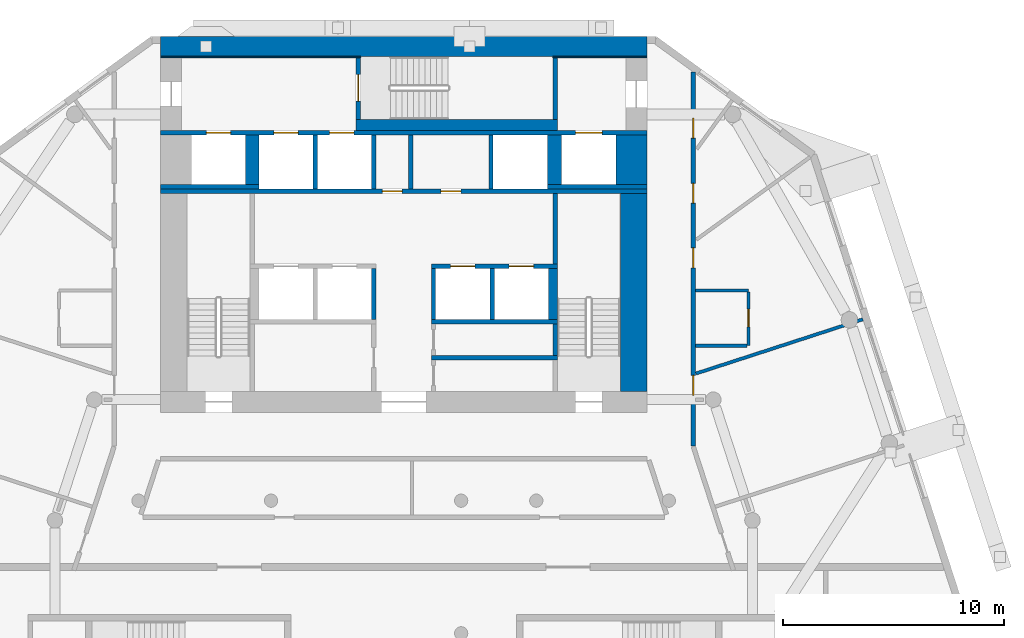
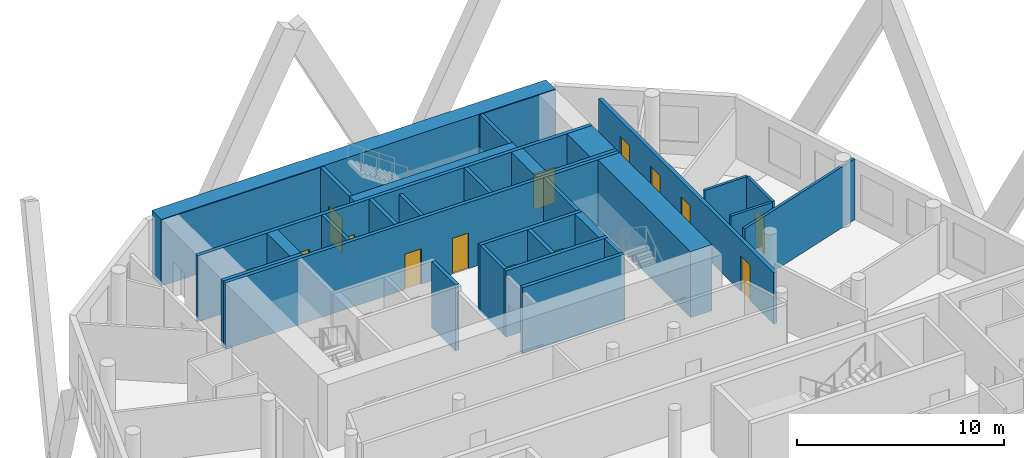
# One storey, part 7 of 10: 32 walls, 14 doors, 14 openings.
"""IFC4 building model written with IfcOpenShell, lengths in metres."""

from ifc_helpers import new_model, si_unit, direction, frame, frame_2d, origin, place, context, subcontext, project, spatial, rectangle, extrude, material, layer, layer_set, type_object, element, fill, save


model = new_model("IFC4")

# Units and contexts
model_context = context("Model", 3, precision=1e-05, world=origin(), true_north=direction((0.0, 1.0)))
body_context = subcontext(model_context, "Body", "Model", "MODEL_VIEW")
ifc_project = project(units=[si_unit("LENGTHUNIT", "METRE"), si_unit("AREAUNIT", "SQUARE_METRE"), si_unit("VOLUMEUNIT", "CUBIC_METRE"), si_unit("PLANEANGLEUNIT", "RADIAN"), si_unit("MASSUNIT", "GRAM", prefix="KILO")], contexts=[model_context])

# Site, building, storey
site_placement = place(None, origin())
site = spatial("IfcSite", under=ifc_project, at=site_placement, CompositionType="ELEMENT")
building_placement = place(site_placement, origin())
building = spatial("IfcBuilding", under=site, at=building_placement, Name="White Candle Pilgrim Tower", CompositionType="ELEMENT")
storey_placement = place(building_placement, frame((0.0, 0.0, 160.300048828125)))
storey = spatial("IfcBuildingStorey", under=building, at=storey_placement, Name="L36", CompositionType="ELEMENT", Elevation=160.300048828125)

# Walls
ifc_material_1 = material(Name="Concrete C60/75", Category="concrete")
ifc_layer_1 = layer(ifc_material_1, 1.39990234375)
ifc_layer_set_1 = layer_set([ifc_layer_1], Name="Core wall 1400 mm Concrete C60/75")
wall_type_1 = type_object("IfcWallType", Name="Core wall 1400 mm Concrete C60/75", PredefinedType="SHEAR", material=ifc_layer_set_1)
wall_1_placement = place(storey_placement, frame((80.300048828125, 81.300048828125, 0.0), z_axis=(0.0, 0.0, 1.0), x_axis=(0.0, 1.0, 0.0)))
element("IfcWall", 1, at=wall_1_placement, inside=storey, type_object=wall_type_1, Name="WL-L36-C43", PredefinedType="SHEAR", context=body_context, shape_type="SweptSolid", body=[
    extrude(rectangle(XDim=2.25, YDim=1.39990234375, at=frame_2d((1.125, 0.0))), origin(), (0.0, 0.0, 1.0), 3.89990234375),
])
ifc_layer_2 = layer(ifc_material_1, 0.199951171875)
ifc_layer_set_2 = layer_set([ifc_layer_2], Name="Core wall 200 mm Concrete C60/75")
wall_type_2 = type_object("IfcWallType", Name="Core wall 200 mm Concrete C60/75", PredefinedType="SHEAR", material=ifc_layer_set_2)
wall_2_placement = place(storey_placement, frame((59.0, 81.199951171875, 0.0), z_axis=(0.0, 0.0, 1.0), x_axis=(1.0, 0.0, 0.0)))
element("IfcWall", 2, at=wall_2_placement, inside=storey, type_object=wall_type_2, Name="WL-L36-C34", PredefinedType="SHEAR", context=body_context, shape_type="SweptSolid", body=[
    extrude(rectangle(XDim=4.449951171875, YDim=0.199951171875, at=frame_2d((2.22509765625, 0.0))), origin(), (0.0, 0.0, 1.0), 3.89990234375),
])
wall_3_placement = place(storey_placement, frame((76.5, 81.199951171875, 0.0), z_axis=(0.0, 0.0, 1.0), x_axis=(1.0, 0.0, 0.0)))
element("IfcWall", 3, at=wall_3_placement, inside=storey, type_object=wall_type_2, Name="WL-L36-C39", PredefinedType="SHEAR", context=body_context, shape_type="SweptSolid", body=[
    extrude(rectangle(XDim=4.5, YDim=0.199951171875, at=frame_2d((2.25, 0.0))), origin(), (0.0, 0.0, 1.0), 3.89990234375),
])

# Wall, openings, doors
wall_4_placement = place(storey_placement, frame((59.0, 83.64990234375, 0.0), z_axis=(0.0, 0.0, 1.0), x_axis=(1.0, 0.0, 0.0)))
wall_4 = element("IfcWall", 4, at=wall_4_placement, inside=storey, type_object=wall_type_2, Name="WL-L36-C44", PredefinedType="SHEAR", context=body_context, shape_type="SweptSolid", body=[
    extrude(rectangle(XDim=22.0, YDim=0.199951171875, at=frame_2d((11.0, 0.0))), origin(), (0.0, 0.0, 1.0), 3.89990234375),
])
opening_1_placement = place(wall_4_placement, frame((5.125, 0.0, 0.0)))
opening_1 = element("IfcOpeningElement", 5, at=opening_1_placement, cuts=wall_4, Name="Opening T11-018", PredefinedType="OPENING", context=body_context, shape_type="SweptSolid", body=[
    extrude(rectangle(XDim=1.10009765625, YDim=2.10009765625, at=frame_2d((0.550048828125, 1.050048828125))), frame((0.0, 0.10986328125, 0.0), z_axis=(0.0, -1.0, 0.0), x_axis=(1.0, 0.0, 0.0)), (0.0, 0.0, 1.0), 0.219970703125),
])
opening_2_placement = place(wall_4_placement, frame((7.64990234375, 0.0, 0.0)))
opening_2 = element("IfcOpeningElement", 6, at=opening_2_placement, cuts=wall_4, Name="Opening T11-019", PredefinedType="OPENING", context=body_context, shape_type="SweptSolid", body=[
    extrude(rectangle(XDim=1.10009765625, YDim=2.10009765625, at=frame_2d((0.550048828125, 1.050048828125))), frame((0.0, 0.10986328125, 0.0), z_axis=(0.0, -1.0, 0.0), x_axis=(1.0, 0.0, 0.0)), (0.0, 0.0, 1.0), 0.219970703125),
])
opening_3_placement = place(wall_4_placement, frame((18.77490234375, 0.0, 0.0)))
opening_3 = element("IfcOpeningElement", 7, at=opening_3_placement, cuts=wall_4, Name="Opening T11-020", PredefinedType="OPENING", context=body_context, shape_type="SweptSolid", body=[
    extrude(rectangle(XDim=1.199951171875, YDim=2.10009765625, at=frame_2d((0.60009765625, 1.050048828125))), frame((0.0, 0.10986328125, 0.0), z_axis=(0.0, -1.0, 0.0), x_axis=(1.0, 0.0, 0.0)), (0.0, 0.0, 1.0), 0.219970703125),
])
opening_4_placement = place(wall_4_placement, frame((2.074951171875, 0.0, 0.0)))
opening_4 = element("IfcOpeningElement", 8, at=opening_4_placement, cuts=wall_4, Name="Opening T11-021", PredefinedType="OPENING", context=body_context, shape_type="SweptSolid", body=[
    extrude(rectangle(XDim=1.10009765625, YDim=2.10009765625, at=frame_2d((0.550048828125, 1.050048828125))), frame((0.0, 0.10986328125, 0.0), z_axis=(0.0, -1.0, 0.0), x_axis=(1.0, 0.0, 0.0)), (0.0, 0.0, 1.0), 0.219970703125),
])
ifc_material_2 = material(Name="Stainless steel", Category="steel")
door_type_1 = type_object("IfcDoorType", Name="Lift landing door 1100 x 2100 EI 60", OperationType="DOUBLE_DOOR_SLIDING", PredefinedType="DOOR", material=ifc_material_2)
door_1_placement = place(opening_1_placement, origin())
door_1 = element("IfcDoor", 9, at=door_1_placement, inside=storey, type_object=door_type_1, Name="Door T11-018", OperationType="DOUBLE_DOOR_SLIDING", OverallHeight=2.10009765625, OverallWidth=1.10009765625, PredefinedType="DOOR", context=body_context, shape_type="SweptSolid", body=[
    extrude(rectangle(XDim=1.10009765625, YDim=2.10009765625, at=frame_2d((0.550048828125, 1.050048828125))), frame((0.0, 0.02490234375, 0.0), z_axis=(0.0, -1.0, 0.0), x_axis=(1.0, 0.0, 0.0)), (0.0, 0.0, 1.0), 0.050048828125),
])
fill(opening_1, door_1)
door_2_placement = place(opening_2_placement, origin())
door_2 = element("IfcDoor", 10, at=door_2_placement, inside=storey, type_object=door_type_1, Name="Door T11-019", OperationType="DOUBLE_DOOR_SLIDING", OverallHeight=2.10009765625, OverallWidth=1.10009765625, PredefinedType="DOOR", context=body_context, shape_type="SweptSolid", body=[
    extrude(rectangle(XDim=1.10009765625, YDim=2.10009765625, at=frame_2d((0.550048828125, 1.050048828125))), frame((0.0, 0.02490234375, 0.0), z_axis=(0.0, -1.0, 0.0), x_axis=(1.0, 0.0, 0.0)), (0.0, 0.0, 1.0), 0.050048828125),
])
fill(opening_2, door_2)
door_3_placement = place(opening_4_placement, origin())
door_3 = element("IfcDoor", 11, at=door_3_placement, inside=storey, type_object=door_type_1, Name="Door T11-021", OperationType="DOUBLE_DOOR_SLIDING", OverallHeight=2.10009765625, OverallWidth=1.10009765625, PredefinedType="DOOR", context=body_context, shape_type="SweptSolid", body=[
    extrude(rectangle(XDim=1.10009765625, YDim=2.10009765625, at=frame_2d((0.550048828125, 1.050048828125))), frame((0.0, 0.02490234375, 0.0), z_axis=(0.0, -1.0, 0.0), x_axis=(1.0, 0.0, 0.0)), (0.0, 0.0, 1.0), 0.050048828125),
])
fill(opening_4, door_3)
door_type_2 = type_object("IfcDoorType", Name="Lift landing door 1200 x 2100 E 60", OperationType="DOUBLE_DOOR_SLIDING", PredefinedType="DOOR", material=ifc_material_2)
door_4_placement = place(opening_3_placement, origin())
door_4 = element("IfcDoor", 12, at=door_4_placement, inside=storey, type_object=door_type_2, Name="Door T11-020", OperationType="DOUBLE_DOOR_SLIDING", OverallHeight=2.10009765625, OverallWidth=1.199951171875, PredefinedType="DOOR", context=body_context, shape_type="SweptSolid", body=[
    extrude(rectangle(XDim=1.199951171875, YDim=2.10009765625, at=frame_2d((0.60009765625, 1.050048828125))), frame((0.0, 0.02490234375, 0.0), z_axis=(0.0, -1.0, 0.0), x_axis=(1.0, 0.0, 0.0)), (0.0, 0.0, 1.0), 0.050048828125),
])
fill(opening_3, door_4)

ifc_material_3 = material(Name="Gypsum board on steel studs", Category="steel")
ifc_layer_3 = layer(ifc_material_3, 0.199951171875)
ifc_layer_set_3 = layer_set([ifc_layer_3], Name="Corridor wall 200 mm EI 45")
wall_type_3 = type_object("IfcWallType", Name="Corridor wall 200 mm EI 45", PredefinedType="PARTITIONING", material=ifc_layer_set_3)
wall_5_placement = place(storey_placement, frame((83.10009765625, 86.396240234375, 0.0), z_axis=(0.0, 0.0, 1.0), x_axis=(0.0, -1.0, 0.0)))
wall_5 = element("IfcWall", 13, at=wall_5_placement, inside=storey, type_object=wall_type_3, Name="WL-L36-P004", PredefinedType="PARTITIONING", context=body_context, shape_type="SweptSolid", body=[
    extrude(rectangle(XDim=16.92333984375, YDim=0.199951171875, at=frame_2d((8.461669921875, 0.0))), origin(), (0.0, 0.0, 1.0), 3.050048828125),
])
opening_5_placement = place(wall_5_placement, frame((2.08837890625, 0.0, 0.0)))
opening_5 = element("IfcOpeningElement", 14, at=opening_5_placement, cuts=wall_5, Name="Opening T11-129", PredefinedType="OPENING", context=body_context, shape_type="SweptSolid", body=[
    extrude(rectangle(XDim=0.89990234375, YDim=2.10009765625, at=frame_2d((0.449951171875, 1.050048828125))), frame((0.0, 0.10986328125, 0.0), z_axis=(0.0, -1.0, 0.0), x_axis=(1.0, 0.0, 0.0)), (0.0, 0.0, 1.0), 0.219970703125),
])
opening_6_placement = place(wall_5_placement, frame((5.03369140625, 0.0, 0.0)))
opening_6 = element("IfcOpeningElement", 15, at=opening_6_placement, cuts=wall_5, Name="Opening T11-130", PredefinedType="OPENING", context=body_context, shape_type="SweptSolid", body=[
    extrude(rectangle(XDim=0.89990234375, YDim=2.10009765625, at=frame_2d((0.449951171875, 1.050048828125))), frame((0.0, 0.10986328125, 0.0), z_axis=(0.0, -1.0, 0.0), x_axis=(1.0, 0.0, 0.0)), (0.0, 0.0, 1.0), 0.219970703125),
])
opening_7_placement = place(wall_5_placement, frame((7.96044921875, 0.0, 0.0)))
opening_7 = element("IfcOpeningElement", 16, at=opening_7_placement, cuts=wall_5, Name="Opening T11-131", PredefinedType="OPENING", context=body_context, shape_type="SweptSolid", body=[
    extrude(rectangle(XDim=0.89990234375, YDim=2.10009765625, at=frame_2d((0.449951171875, 1.050048828125))), frame((0.0, 0.10986328125, 0.0), z_axis=(0.0, -1.0, 0.0), x_axis=(1.0, 0.0, 0.0)), (0.0, 0.0, 1.0), 0.219970703125),
])
opening_8_placement = place(wall_5_placement, frame((13.72705078125, 0.0, 0.0)))
opening_8 = element("IfcOpeningElement", 17, at=opening_8_placement, cuts=wall_5, Name="Opening T11-132", PredefinedType="OPENING", context=body_context, shape_type="SweptSolid", body=[
    extrude(rectangle(XDim=0.89990234375, YDim=2.10009765625, at=frame_2d((0.449951171875, 1.050048828125))), frame((0.0, 0.10986328125, 0.0), z_axis=(0.0, -1.0, 0.0), x_axis=(1.0, 0.0, 0.0)), (0.0, 0.0, 1.0), 0.219970703125),
])
ifc_material_4 = material(Name="Steel door leaf", Category="steel")
door_type_3 = type_object("IfcDoorType", Name="Fire door 900 x 2100 EI 30", OperationType="NOTDEFINED", PredefinedType="DOOR", material=ifc_material_4)
door_5_placement = place(opening_5_placement, origin())
door_5 = element("IfcDoor", 18, at=door_5_placement, inside=storey, type_object=door_type_3, Name="Door T11-129", OperationType="SINGLE_SWING_LEFT", OverallHeight=2.10009765625, OverallWidth=0.89990234375, PredefinedType="DOOR", context=body_context, shape_type="SweptSolid", body=[
    extrude(rectangle(XDim=0.89990234375, YDim=2.10009765625, at=frame_2d((0.449951171875, 1.050048828125))), frame((0.0, 0.02490234375, 0.0), z_axis=(0.0, -1.0, 0.0), x_axis=(1.0, 0.0, 0.0)), (0.0, 0.0, 1.0), 0.050048828125),
])
fill(opening_5, door_5)
door_6_placement = place(opening_6_placement, origin())
door_6 = element("IfcDoor", 19, at=door_6_placement, inside=storey, type_object=door_type_3, Name="Door T11-130", OperationType="SINGLE_SWING_RIGHT", OverallHeight=2.10009765625, OverallWidth=0.89990234375, PredefinedType="DOOR", context=body_context, shape_type="SweptSolid", body=[
    extrude(rectangle(XDim=0.89990234375, YDim=2.10009765625, at=frame_2d((0.449951171875, 1.050048828125))), frame((0.0, 0.02490234375, 0.0), z_axis=(0.0, -1.0, 0.0), x_axis=(1.0, 0.0, 0.0)), (0.0, 0.0, 1.0), 0.050048828125),
])
fill(opening_6, door_6)
door_7_placement = place(opening_7_placement, origin())
door_7 = element("IfcDoor", 20, at=door_7_placement, inside=storey, type_object=door_type_3, Name="Door T11-131", OperationType="SINGLE_SWING_LEFT", OverallHeight=2.10009765625, OverallWidth=0.89990234375, PredefinedType="DOOR", context=body_context, shape_type="SweptSolid", body=[
    extrude(rectangle(XDim=0.89990234375, YDim=2.10009765625, at=frame_2d((0.449951171875, 1.050048828125))), frame((0.0, 0.02490234375, 0.0), z_axis=(0.0, -1.0, 0.0), x_axis=(1.0, 0.0, 0.0)), (0.0, 0.0, 1.0), 0.050048828125),
])
fill(opening_7, door_7)
door_8_placement = place(opening_8_placement, origin())
door_8 = element("IfcDoor", 21, at=door_8_placement, inside=storey, type_object=door_type_3, Name="Door T11-132", OperationType="SINGLE_SWING_LEFT", OverallHeight=2.10009765625, OverallWidth=0.89990234375, PredefinedType="DOOR", context=body_context, shape_type="SweptSolid", body=[
    extrude(rectangle(XDim=0.89990234375, YDim=2.10009765625, at=frame_2d((0.449951171875, 1.050048828125))), frame((0.0, 0.02490234375, 0.0), z_axis=(0.0, -1.0, 0.0), x_axis=(1.0, 0.0, 0.0)), (0.0, 0.0, 1.0), 0.050048828125),
])
fill(opening_8, door_8)

# Walls
ifc_layer_4 = layer(ifc_material_3, 0.199951171875)
ifc_layer_set_4 = layer_set([ifc_layer_4], Name="Lobby wall 200 mm EI 60")
wall_type_4 = type_object("IfcWallType", Name="Lobby wall 200 mm EI 60", PredefinedType="PARTITIONING", material=ifc_layer_set_4)
wall_6_placement = place(storey_placement, frame((70.320068359375, 81.10009765625, 0.0), z_axis=(0.0, 0.0, 1.0), x_axis=(0.0, 1.0, 0.0)))
element("IfcWall", 22, at=wall_6_placement, inside=storey, type_object=wall_type_4, Name="WL-L36-C37", PredefinedType="PARTITIONING", context=body_context, shape_type="SweptSolid", body=[
    extrude(rectangle(XDim=2.449951171875, YDim=0.199951171875, at=frame_2d((1.22509765625, 0.0))), origin(), (0.0, 0.0, 1.0), 3.599853515625),
])
ifc_layer_5 = layer(ifc_material_3, 0.14990234375)
ifc_layer_set_5 = layer_set([ifc_layer_5], Name="Partition 150 mm EI 60")
wall_type_5 = type_object("IfcWallType", Name="Partition 150 mm EI 60", PredefinedType="PARTITIONING", material=ifc_layer_set_5)
wall_7_placement = place(storey_placement, frame((90.77880859375, 75.207763671875, 0.0), z_axis=(0.0, 0.0, 1.0), x_axis=(-0.951053036923, -0.309027702575, 0.0)))
element("IfcWall", 23, at=wall_7_placement, inside=storey, type_object=wall_type_5, Name="WL-L36-P050", PredefinedType="PARTITIONING", context=body_context, shape_type="SweptSolid", body=[
    extrude(rectangle(XDim=7.944580078125, YDim=0.14990234375, at=frame_2d((3.97216796875, 0.0))), origin(), (0.0, 0.0, 1.0), 3.599853515625),
])
wall_8_placement = place(storey_placement, frame((83.199951171875, 76.5126953125, 0.0), z_axis=(0.0, 0.0, 1.0), x_axis=(1.0, 0.0, 0.0)))
element("IfcWall", 24, at=wall_8_placement, inside=storey, type_object=wall_type_5, Name="WL-L36-P051", PredefinedType="PARTITIONING", context=body_context, shape_type="SweptSolid", body=[
    extrude(rectangle(XDim=2.400146484375, YDim=0.14990234375, at=frame_2d((1.2001953125, 0.0))), origin(), (0.0, 0.0, 1.0), 3.599853515625),
])

# Wall, opening, door
wall_9_placement = place(storey_placement, frame((85.60009765625, 74.0126953125, 0.0), z_axis=(0.0, 0.0, 1.0), x_axis=(0.0, 1.0, 0.0)))
wall_9 = element("IfcWall", 25, at=wall_9_placement, inside=storey, type_object=wall_type_5, Name="WL-L36-P052", PredefinedType="PARTITIONING", context=body_context, shape_type="SweptSolid", body=[
    extrude(rectangle(XDim=2.425048828125, YDim=0.14990234375, at=frame_2d((1.21240234375, 0.0))), origin(), (0.0, 0.0, 1.0), 3.599853515625),
])
opening_9_placement = place(wall_9_placement, frame((0.85009765625, 0.0, 0.0)))
opening_9 = element("IfcOpeningElement", 26, at=opening_9_placement, cuts=wall_9, Name="Opening T11-119", PredefinedType="OPENING", context=body_context, shape_type="SweptSolid", body=[
    extrude(rectangle(XDim=0.800048828125, YDim=2.10009765625, at=frame_2d((0.39990234375, 1.050048828125))), frame((0.0, 0.0849609375, 0.0), z_axis=(0.0, -1.0, 0.0), x_axis=(1.0, 0.0, 0.0)), (0.0, 0.0, 1.0), 0.169921875),
])
door_type_4 = type_object("IfcDoorType", Name="Fire door 800 x 2100 EI 30", OperationType="NOTDEFINED", PredefinedType="DOOR", material=ifc_material_4)
door_9_placement = place(opening_9_placement, frame((0.800048828125, 0.0, 0.0), z_axis=(0.0, 0.0, 1.0), x_axis=(-1.0, 0.0, 0.0)))
door_9 = element("IfcDoor", 27, at=door_9_placement, inside=storey, type_object=door_type_4, Name="Door T11-119", OperationType="SINGLE_SWING_RIGHT", OverallHeight=2.10009765625, OverallWidth=0.800048828125, PredefinedType="DOOR", context=body_context, shape_type="SweptSolid", body=[
    extrude(rectangle(XDim=0.800048828125, YDim=2.10009765625, at=frame_2d((0.39990234375, 1.050048828125))), frame((0.0, 0.02490234375, 0.0), z_axis=(0.0, -1.0, 0.0), x_axis=(1.0, 0.0, 0.0)), (0.0, 0.0, 1.0), 0.050048828125),
])
fill(opening_9, door_9)

# Walls
wall_10_placement = place(storey_placement, frame((83.199951171875, 74.0126953125, 0.0), z_axis=(0.0, 0.0, 1.0), x_axis=(1.0, 0.0, 0.0)))
element("IfcWall", 28, at=wall_10_placement, inside=storey, type_object=wall_type_5, Name="WL-L36-P053", PredefinedType="PARTITIONING", context=body_context, shape_type="SweptSolid", body=[
    extrude(rectangle(XDim=2.324951171875, YDim=0.14990234375, at=frame_2d((1.16259765625, 0.0))), origin(), (0.0, 0.0, 1.0), 3.599853515625),
])
ifc_layer_6 = layer(ifc_material_1, 0.199951171875)
ifc_layer_set_6 = layer_set([ifc_layer_6], Name="Shaft wall 200 mm Concrete C60/75")
wall_type_6 = type_object("IfcWallType", Name="Shaft wall 200 mm Concrete C60/75", PredefinedType="SHEAR", material=ifc_layer_set_6)
for number, where, z_axis, x_axis, name in (
    (29, (68.64990234375, 75.199951171875, 0.0), (0.0, 0.0, 1.0), (0.0, 1.0, 0.0), "WL-L36-C25"),
    (30, (71.35009765625, 75.199951171875, 0.0), (0.0, 0.0, 1.0), (0.0, 1.0, 0.0), "WL-L36-C26"),
    (31, (74.0, 75.199951171875, 0.0), (0.0, 0.0, 1.0), (0.0, 1.0, 0.0), "WL-L36-C27"),
):
    element("IfcWall", number, at=place(storey_placement, frame(where, z_axis=z_axis, x_axis=x_axis)), inside=storey, type_object=wall_type_6, Name=name, PredefinedType="SHEAR", context=body_context, shape_type="SweptSolid", body=[
        extrude(rectangle(XDim=2.300048828125, YDim=0.199951171875, at=frame_2d((1.14990234375, 0.0))), origin(), (0.0, 0.0, 1.0), 3.89990234375),
    ])
for number, where, z_axis, x_axis, name in (
    (32, (66.0, 81.10009765625, 0.0), (0.0, 0.0, 1.0), (0.0, 1.0, 0.0), "WL-L36-C35"),
    (33, (68.64990234375, 81.10009765625, 0.0), (0.0, 0.0, 1.0), (0.0, 1.0, 0.0), "WL-L36-C36"),
    (34, (73.949951171875, 81.10009765625, 0.0), (0.0, 0.0, 1.0), (0.0, 1.0, 0.0), "WL-L36-C38"),
):
    element("IfcWall", number, at=place(storey_placement, frame(where, z_axis=z_axis, x_axis=x_axis)), inside=storey, type_object=wall_type_6, Name=name, PredefinedType="SHEAR", context=body_context, shape_type="SweptSolid", body=[
        extrude(rectangle(XDim=2.449951171875, YDim=0.199951171875, at=frame_2d((1.22509765625, 0.0))), origin(), (0.0, 0.0, 1.0), 3.89990234375),
    ])
ifc_layer_7 = layer(ifc_material_1, 0.60009765625)
ifc_layer_set_7 = layer_set([ifc_layer_7], Name="Shaft wall 600 mm Concrete C60/75")
wall_type_7 = type_object("IfcWallType", Name="Shaft wall 600 mm Concrete C60/75", PredefinedType="SHEAR", material=ifc_layer_set_7)
wall_11_placement = place(storey_placement, frame((63.14990234375, 81.300048828125, 0.0), z_axis=(0.0, 0.0, 1.0), x_axis=(0.0, 1.0, 0.0)))
element("IfcWall", 35, at=wall_11_placement, inside=storey, type_object=wall_type_7, Name="WL-L36-C41", PredefinedType="SHEAR", context=body_context, shape_type="SweptSolid", body=[
    extrude(rectangle(XDim=2.25, YDim=0.60009765625, at=frame_2d((1.125, 0.0))), origin(), (0.0, 0.0, 1.0), 3.89990234375),
])
ifc_layer_8 = layer(ifc_material_1, 0.64990234375)
ifc_layer_set_8 = layer_set([ifc_layer_8], Name="Shaft wall 650 mm Concrete C60/75")
wall_type_8 = type_object("IfcWallType", Name="Shaft wall 650 mm Concrete C60/75", PredefinedType="SHEAR", material=ifc_layer_set_8)
wall_12_placement = place(storey_placement, frame((76.824951171875, 81.300048828125, 0.0), z_axis=(0.0, 0.0, 1.0), x_axis=(0.0, 1.0, 0.0)))
element("IfcWall", 36, at=wall_12_placement, inside=storey, type_object=wall_type_8, Name="WL-L36-C42", PredefinedType="SHEAR", context=body_context, shape_type="SweptSolid", body=[
    extrude(rectangle(XDim=2.25, YDim=0.64990234375, at=frame_2d((1.125, 0.0))), origin(), (0.0, 0.0, 1.0), 3.89990234375),
])
ifc_layer_9 = layer(ifc_material_1, 1.199951171875)
ifc_layer_set_9 = layer_set([ifc_layer_9], Name="Stair shaft wall 1200 mm Concrete C60/75")
wall_type_9 = type_object("IfcWallType", Name="Stair shaft wall 1200 mm Concrete C60/75", PredefinedType="SHEAR", material=ifc_layer_set_9)
wall_13_placement = place(storey_placement, frame((80.39990234375, 71.949951171875, 0.0), z_axis=(0.0, 0.0, 1.0), x_axis=(0.0, 1.0, 0.0)))
element("IfcWall", 37, at=wall_13_placement, inside=storey, type_object=wall_type_9, Name="WL-L36-C17", PredefinedType="SHEAR", context=body_context, shape_type="SweptSolid", body=[
    extrude(rectangle(XDim=8.949951171875, YDim=1.199951171875, at=frame_2d((4.47509765625, 0.0))), origin(), (0.0, 0.0, 1.0), 3.89990234375),
])
ifc_layer_10 = layer(ifc_material_1, 0.199951171875)
ifc_layer_set_10 = layer_set([ifc_layer_10], Name="Stair shaft wall 200 mm Concrete C60/75")
wall_type_10 = type_object("IfcWallType", Name="Stair shaft wall 200 mm Concrete C60/75", PredefinedType="SHEAR", material=ifc_layer_set_10)
wall_14_placement = place(storey_placement, frame((71.25, 73.47509765625, 0.0), z_axis=(0.0, 0.0, 1.0), x_axis=(1.0, 0.0, 0.0)))
element("IfcWall", 38, at=wall_14_placement, inside=storey, type_object=wall_type_10, Name="WL-L36-C18", PredefinedType="SHEAR", context=body_context, shape_type="SweptSolid", body=[
    extrude(rectangle(XDim=5.699951171875, YDim=0.199951171875, at=frame_2d((2.85009765625, 0.0))), origin(), (0.0, 0.0, 1.0), 3.89990234375),
])
wall_15_placement = place(storey_placement, frame((76.85009765625, 73.574951171875, 0.0), z_axis=(0.0, 0.0, 1.0), x_axis=(0.0, 1.0, 0.0)))
element("IfcWall", 39, at=wall_15_placement, inside=storey, type_object=wall_type_10, Name="WL-L36-C20", PredefinedType="SHEAR", context=body_context, shape_type="SweptSolid", body=[
    extrude(rectangle(XDim=1.425048828125, YDim=0.199951171875, at=frame_2d((0.71240234375, 0.0))), origin(), (0.0, 0.0, 1.0), 3.89990234375),
])
wall_16_placement = place(storey_placement, frame((71.25, 75.10009765625, 0.0), z_axis=(0.0, 0.0, 1.0), x_axis=(1.0, 0.0, 0.0)))
element("IfcWall", 40, at=wall_16_placement, inside=storey, type_object=wall_type_10, Name="WL-L36-C22", PredefinedType="SHEAR", context=body_context, shape_type="SweptSolid", body=[
    extrude(rectangle(XDim=5.699951171875, YDim=0.199951171875, at=frame_2d((2.85009765625, 0.0))), origin(), (0.0, 0.0, 1.0), 3.89990234375),
])

# Wall, openings, doors
wall_17_placement = place(storey_placement, frame((71.25, 77.60009765625, 0.0), z_axis=(0.0, 0.0, 1.0), x_axis=(1.0, 0.0, 0.0)))
wall_17 = element("IfcWall", 41, at=wall_17_placement, inside=storey, type_object=wall_type_10, Name="WL-L36-C30", PredefinedType="SHEAR", context=body_context, shape_type="SweptSolid", body=[
    extrude(rectangle(XDim=5.699951171875, YDim=0.199951171875, at=frame_2d((2.85009765625, 0.0))), origin(), (0.0, 0.0, 1.0), 3.89990234375),
])
opening_10_placement = place(wall_17_placement, frame((0.875, 0.0, 0.0)))
opening_10 = element("IfcOpeningElement", 42, at=opening_10_placement, cuts=wall_17, Name="Opening T11-016", PredefinedType="OPENING", context=body_context, shape_type="SweptSolid", body=[
    extrude(rectangle(XDim=1.10009765625, YDim=2.10009765625, at=frame_2d((0.550048828125, 1.050048828125))), frame((0.0, 0.10986328125, 0.0), z_axis=(0.0, -1.0, 0.0), x_axis=(1.0, 0.0, 0.0)), (0.0, 0.0, 1.0), 0.219970703125),
])
opening_11_placement = place(wall_17_placement, frame((3.52490234375, 0.0, 0.0)))
opening_11 = element("IfcOpeningElement", 43, at=opening_11_placement, cuts=wall_17, Name="Opening T11-017", PredefinedType="OPENING", context=body_context, shape_type="SweptSolid", body=[
    extrude(rectangle(XDim=1.10009765625, YDim=2.10009765625, at=frame_2d((0.550048828125, 1.050048828125))), frame((0.0, 0.10986328125, 0.0), z_axis=(0.0, -1.0, 0.0), x_axis=(1.0, 0.0, 0.0)), (0.0, 0.0, 1.0), 0.219970703125),
])
door_type_5 = type_object("IfcDoorType", Name="Lift landing door 1100 x 2100 E 60", OperationType="DOUBLE_DOOR_SLIDING", PredefinedType="DOOR", material=ifc_material_2)
door_10_placement = place(opening_10_placement, origin())
door_10 = element("IfcDoor", 44, at=door_10_placement, inside=storey, type_object=door_type_5, Name="Door T11-016", OperationType="DOUBLE_DOOR_SLIDING", OverallHeight=2.10009765625, OverallWidth=1.10009765625, PredefinedType="DOOR", context=body_context, shape_type="SweptSolid", body=[
    extrude(rectangle(XDim=1.10009765625, YDim=2.10009765625, at=frame_2d((0.550048828125, 1.050048828125))), frame((0.0, 0.02490234375, 0.0), z_axis=(0.0, -1.0, 0.0), x_axis=(1.0, 0.0, 0.0)), (0.0, 0.0, 1.0), 0.050048828125),
])
fill(opening_10, door_10)
door_11_placement = place(opening_11_placement, origin())
door_11 = element("IfcDoor", 45, at=door_11_placement, inside=storey, type_object=door_type_5, Name="Door T11-017", OperationType="DOUBLE_DOOR_SLIDING", OverallHeight=2.10009765625, OverallWidth=1.10009765625, PredefinedType="DOOR", context=body_context, shape_type="SweptSolid", body=[
    extrude(rectangle(XDim=1.10009765625, YDim=2.10009765625, at=frame_2d((0.550048828125, 1.050048828125))), frame((0.0, 0.02490234375, 0.0), z_axis=(0.0, -1.0, 0.0), x_axis=(1.0, 0.0, 0.0)), (0.0, 0.0, 1.0), 0.050048828125),
])
fill(opening_11, door_11)

# Wall
wall_18_placement = place(storey_placement, frame((76.85009765625, 77.699951171875, 0.0), z_axis=(0.0, 0.0, 1.0), x_axis=(0.0, 1.0, 0.0)))
element("IfcWall", 46, at=wall_18_placement, inside=storey, type_object=wall_type_10, Name="WL-L36-C32", PredefinedType="SHEAR", context=body_context, shape_type="SweptSolid", body=[
    extrude(rectangle(XDim=3.199951171875, YDim=0.199951171875, at=frame_2d((1.60009765625, 0.0))), origin(), (0.0, 0.0, 1.0), 3.89990234375),
])

# Wall, openings, doors
wall_19_placement = place(storey_placement, frame((59.0, 81.0, 0.0), z_axis=(0.0, 0.0, 1.0), x_axis=(1.0, 0.0, 0.0)))
wall_19 = element("IfcWall", 47, at=wall_19_placement, inside=storey, type_object=wall_type_10, Name="WL-L36-C33", PredefinedType="SHEAR", context=body_context, shape_type="SweptSolid", body=[
    extrude(rectangle(XDim=22.0, YDim=0.199951171875, at=frame_2d((11.0, 0.0))), origin(), (0.0, 0.0, 1.0), 3.89990234375),
])
opening_12_placement = place(wall_19_placement, frame((10.034912109375, 0.0, 0.0)))
opening_12 = element("IfcOpeningElement", 48, at=opening_12_placement, cuts=wall_19, Name="Opening T11-022", PredefinedType="OPENING", context=body_context, shape_type="SweptSolid", body=[
    extrude(rectangle(XDim=0.89990234375, YDim=2.10009765625, at=frame_2d((0.449951171875, 1.050048828125))), frame((0.0, 0.10986328125, 0.0), z_axis=(0.0, -1.0, 0.0), x_axis=(1.0, 0.0, 0.0)), (0.0, 0.0, 1.0), 0.219970703125),
])
opening_13_placement = place(wall_19_placement, frame((12.68505859375, 0.0, 0.0)))
opening_13 = element("IfcOpeningElement", 49, at=opening_13_placement, cuts=wall_19, Name="Opening T11-023", PredefinedType="OPENING", context=body_context, shape_type="SweptSolid", body=[
    extrude(rectangle(XDim=0.89990234375, YDim=2.10009765625, at=frame_2d((0.449951171875, 1.050048828125))), frame((0.0, 0.10986328125, 0.0), z_axis=(0.0, -1.0, 0.0), x_axis=(1.0, 0.0, 0.0)), (0.0, 0.0, 1.0), 0.219970703125),
])
door_12_placement = place(opening_12_placement, origin())
door_12 = element("IfcDoor", 50, at=door_12_placement, inside=storey, type_object=door_type_3, Name="Door T11-022", OperationType="SINGLE_SWING_RIGHT", OverallHeight=2.10009765625, OverallWidth=0.89990234375, PredefinedType="DOOR", context=body_context, shape_type="SweptSolid", body=[
    extrude(rectangle(XDim=0.89990234375, YDim=2.10009765625, at=frame_2d((0.449951171875, 1.050048828125))), frame((0.0, 0.02490234375, 0.0), z_axis=(0.0, -1.0, 0.0), x_axis=(1.0, 0.0, 0.0)), (0.0, 0.0, 1.0), 0.050048828125),
])
fill(opening_12, door_12)
door_13_placement = place(opening_13_placement, origin())
door_13 = element("IfcDoor", 51, at=door_13_placement, inside=storey, type_object=door_type_3, Name="Door T11-023", OperationType="SINGLE_SWING_LEFT", OverallHeight=2.10009765625, OverallWidth=0.89990234375, PredefinedType="DOOR", context=body_context, shape_type="SweptSolid", body=[
    extrude(rectangle(XDim=0.89990234375, YDim=2.10009765625, at=frame_2d((0.449951171875, 1.050048828125))), frame((0.0, 0.02490234375, 0.0), z_axis=(0.0, -1.0, 0.0), x_axis=(1.0, 0.0, 0.0)), (0.0, 0.0, 1.0), 0.050048828125),
])
fill(opening_13, door_13)

# Wall, opening, door
wall_20_placement = place(storey_placement, frame((67.949951171875, 84.25, 0.0), z_axis=(0.0, 0.0, 1.0), x_axis=(0.0, 1.0, 0.0)))
wall_20 = element("IfcWall", 52, at=wall_20_placement, inside=storey, type_object=wall_type_10, Name="WL-L36-C48", PredefinedType="SHEAR", context=body_context, shape_type="SweptSolid", body=[
    extrude(rectangle(XDim=2.800048828125, YDim=0.199951171875, at=frame_2d((1.39990234375, 0.0))), origin(), (0.0, 0.0, 1.0), 3.89990234375),
])
opening_14_placement = place(wall_20_placement, frame((0.824951171875, 0.0, 0.0)))
opening_14 = element("IfcOpeningElement", 53, at=opening_14_placement, cuts=wall_20, Name="Opening T11-003", PredefinedType="OPENING", context=body_context, shape_type="SweptSolid", body=[
    extrude(rectangle(XDim=1.199951171875, YDim=2.10009765625, at=frame_2d((0.60009765625, 1.050048828125))), frame((0.0, 0.10986328125, 0.0), z_axis=(0.0, -1.0, 0.0), x_axis=(1.0, 0.0, 0.0)), (0.0, 0.0, 1.0), 0.219970703125),
])
door_type_6 = type_object("IfcDoorType", Name="Fire door 1200 x 2100 EI 60", OperationType="NOTDEFINED", PredefinedType="DOOR", material=ifc_material_4)
door_14_placement = place(opening_14_placement, frame((1.199951171875, 0.0, 0.0), z_axis=(0.0, 0.0, 1.0), x_axis=(-1.0, 0.0, 0.0)))
door_14 = element("IfcDoor", 54, at=door_14_placement, inside=storey, type_object=door_type_6, Name="Door T11-003", OperationType="SINGLE_SWING_RIGHT", OverallHeight=2.10009765625, OverallWidth=1.199951171875, PredefinedType="DOOR", context=body_context, shape_type="SweptSolid", body=[
    extrude(rectangle(XDim=1.199951171875, YDim=2.10009765625, at=frame_2d((0.60009765625, 1.050048828125))), frame((0.0, 0.02490234375, 0.0), z_axis=(0.0, -1.0, 0.0), x_axis=(1.0, 0.0, 0.0)), (0.0, 0.0, 1.0), 0.050048828125),
])
fill(opening_14, door_14)

# Walls
wall_21_placement = place(storey_placement, frame((76.85009765625, 84.25, 0.0), z_axis=(0.0, 0.0, 1.0), x_axis=(0.0, 1.0, 0.0)))
element("IfcWall", 55, at=wall_21_placement, inside=storey, type_object=wall_type_10, Name="WL-L36-C49", PredefinedType="SHEAR", context=body_context, shape_type="SweptSolid", body=[
    extrude(rectangle(XDim=2.800048828125, YDim=0.199951171875, at=frame_2d((1.39990234375, 0.0))), origin(), (0.0, 0.0, 1.0), 3.89990234375),
])
ifc_layer_11 = layer(ifc_material_1, 0.39990234375)
ifc_layer_set_11 = layer_set([ifc_layer_11], Name="Stair shaft wall 400 mm Concrete C60/75")
wall_type_11 = type_object("IfcWallType", Name="Stair shaft wall 400 mm Concrete C60/75", PredefinedType="SHEAR", material=ifc_layer_set_11)
wall_22_placement = place(storey_placement, frame((76.75, 75.199951171875, 0.0), z_axis=(0.0, 0.0, 1.0), x_axis=(0.0, 1.0, 0.0)))
element("IfcWall", 56, at=wall_22_placement, inside=storey, type_object=wall_type_11, Name="WL-L36-C28", PredefinedType="SHEAR", context=body_context, shape_type="SweptSolid", body=[
    extrude(rectangle(XDim=2.300048828125, YDim=0.39990234375, at=frame_2d((1.14990234375, 0.0))), origin(), (0.0, 0.0, 1.0), 3.89990234375),
])
ifc_layer_12 = layer(ifc_material_1, 0.050048828125)
ifc_layer_set_12 = layer_set([ifc_layer_12], Name="Stair shaft wall 50 mm Concrete C60/75")
wall_type_12 = type_object("IfcWallType", Name="Stair shaft wall 50 mm Concrete C60/75", PredefinedType="SHEAR", material=ifc_layer_set_12)
wall_23_placement = place(storey_placement, frame((59.0, 87.074951171875, 0.0), z_axis=(0.0, 0.0, 1.0), x_axis=(1.0, 0.0, 0.0)))
element("IfcWall", 57, at=wall_23_placement, inside=storey, type_object=wall_type_12, Name="WL-L36-C50", PredefinedType="SHEAR", context=body_context, shape_type="SweptSolid", body=[
    extrude(rectangle(XDim=9.050048828125, YDim=0.050048828125, at=frame_2d((4.52490234375, 0.0))), origin(), (0.0, 0.0, 1.0), 3.89990234375),
])
wall_24_placement = place(storey_placement, frame((76.75, 87.074951171875, 0.0), z_axis=(0.0, 0.0, 1.0), x_axis=(1.0, 0.0, 0.0)))
element("IfcWall", 58, at=wall_24_placement, inside=storey, type_object=wall_type_12, Name="WL-L36-C51", PredefinedType="SHEAR", context=body_context, shape_type="SweptSolid", body=[
    extrude(rectangle(XDim=4.25, YDim=0.050048828125, at=frame_2d((2.125, 0.0))), origin(), (0.0, 0.0, 1.0), 3.89990234375),
])
ifc_layer_13 = layer(ifc_material_1, 0.5)
ifc_layer_set_13 = layer_set([ifc_layer_13], Name="Stair shaft wall 500 mm Concrete C60/75")
wall_type_13 = type_object("IfcWallType", Name="Stair shaft wall 500 mm Concrete C60/75", PredefinedType="SHEAR", material=ifc_layer_set_13)
wall_25_placement = place(storey_placement, frame((67.85009765625, 84.0, 0.0), z_axis=(0.0, 0.0, 1.0), x_axis=(1.0, 0.0, 0.0)))
element("IfcWall", 59, at=wall_25_placement, inside=storey, type_object=wall_type_13, Name="WL-L36-C46", PredefinedType="SHEAR", context=body_context, shape_type="SweptSolid", body=[
    extrude(rectangle(XDim=9.099853515625, YDim=0.5, at=frame_2d((4.5498046875, 0.0))), origin(), (0.0, 0.0, 1.0), 3.89990234375),
])
ifc_layer_14 = layer(ifc_material_1, 0.89990234375)
ifc_layer_set_14 = layer_set([ifc_layer_14], Name="Stair shaft wall 900 mm Concrete C60/75")
wall_type_14 = type_object("IfcWallType", Name="Stair shaft wall 900 mm Concrete C60/75", PredefinedType="SHEAR", material=ifc_layer_set_14)
wall_26_placement = place(storey_placement, frame((59.0, 87.550048828125, 0.0), z_axis=(0.0, 0.0, 1.0), x_axis=(1.0, 0.0, 0.0)))
element("IfcWall", 60, at=wall_26_placement, inside=storey, type_object=wall_type_14, Name="WL-L36-C52", PredefinedType="SHEAR", context=body_context, shape_type="SweptSolid", body=[
    extrude(rectangle(XDim=22.0, YDim=0.89990234375, at=frame_2d((11.0, 0.0))), origin(), (0.0, 0.0, 1.0), 3.89990234375),
])

save(model, "model.ifc")
